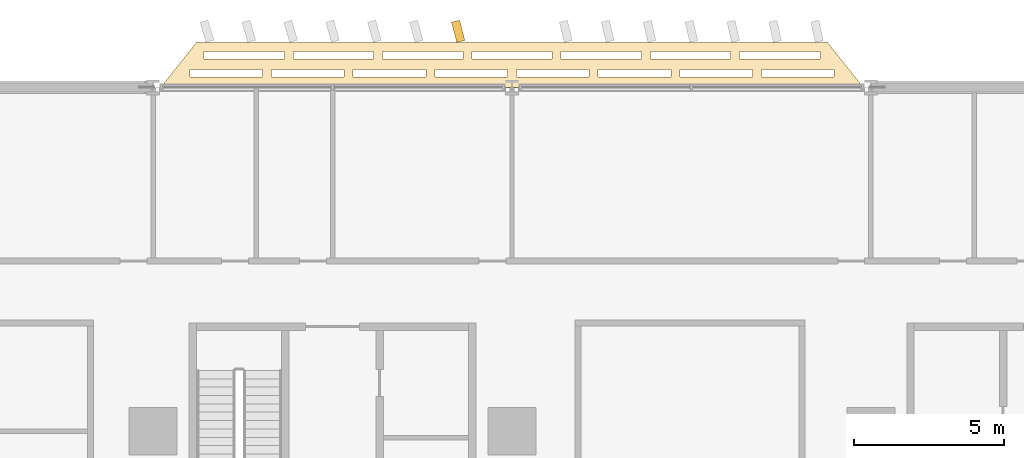
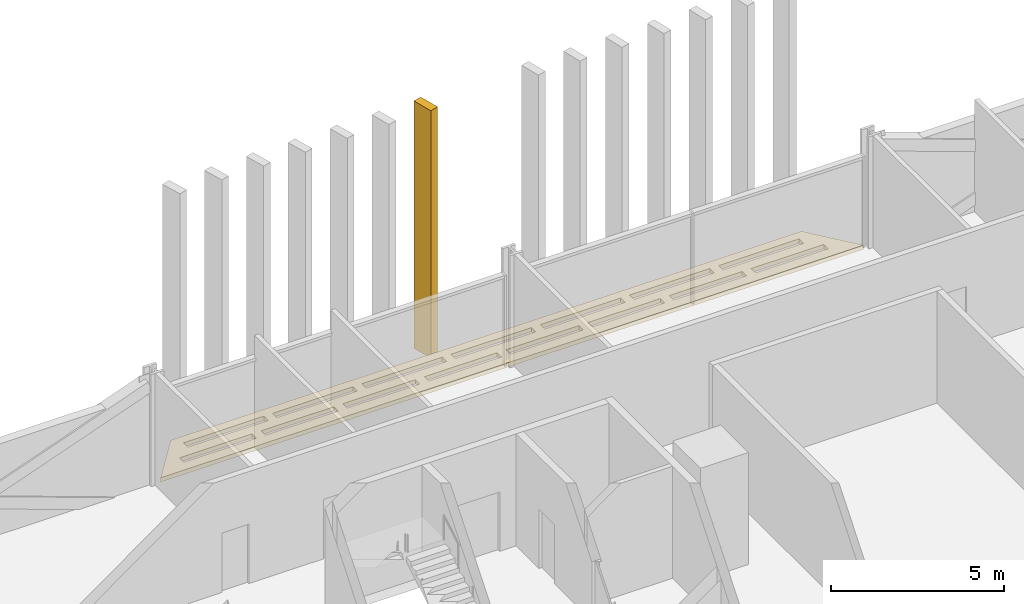
# One storey, part 26 of 31: 2 coverings.
"""IFC4 building model written with IfcOpenShell, lengths in metres."""

from ifc_helpers import new_model, si_unit, direction, frame, origin, origin_2d, place, context, subcontext, project, spatial, polyline, rectangle, outline, extrude, material, layer, layer_set, type_object, element, save


model = new_model("IFC4")

# Units and contexts
model_context = context("Model", 3, precision=1e-05, world=origin(), true_north=direction((0.0, 1.0)))
body_context = subcontext(model_context, "Body", "Model", "MODEL_VIEW")
ifc_project = project(units=[si_unit("LENGTHUNIT", "METRE"), si_unit("AREAUNIT", "SQUARE_METRE"), si_unit("VOLUMEUNIT", "CUBIC_METRE"), si_unit("PLANEANGLEUNIT", "RADIAN"), si_unit("MASSUNIT", "GRAM", prefix="KILO")], contexts=[model_context])

# Site, building, storey
site_placement = place(None, origin())
site = spatial("IfcSite", under=ifc_project, at=site_placement, CompositionType="ELEMENT")
building_placement = place(site_placement, origin())
building = spatial("IfcBuilding", under=site, at=building_placement, Name="Mahtab Terrace Research Tower", CompositionType="ELEMENT")
storey_placement = place(building_placement, frame((0.0, 0.0, 11.5)))
storey = spatial("IfcBuildingStorey", under=building, at=storey_placement, Name="L02", CompositionType="ELEMENT", Elevation=11.5)

# Coverings
ifc_material_1 = material(Name="Black anodised aluminium", Category="aluminium")
ifc_layer_1 = layer(ifc_material_1, 0.14990234375)
ifc_layer_set_1 = layer_set([ifc_layer_1], Name="Horizontal sunshade band")
covering_type_1 = type_object("IfcCoveringType", Name="Horizontal sunshade band", PredefinedType="CLADDING", material=ifc_layer_set_1)
covering_1_placement = place(storey_placement, frame((0.0, 0.0, -0.14990234375)))
element("IfcCovering", 1, at=covering_1_placement, inside=storey, type_object=covering_type_1, Name="Sunshade band L02 7", PredefinedType="CLADDING", context=body_context, shape_type="SweptSolid", body=[
    extrude(outline(polyline([(-6.2490234375, 23.0), (-29.7509765625, 23.0), (-28.551025390625, 24.5), (-7.448974609375, 24.5), (-6.2490234375, 23.0)]), holes=[polyline([(-7.22900390625, 23.35009765625), (-9.658935546875, 23.35009765625), (-9.658935546875, 23.60009765625), (-7.22900390625, 23.60009765625), (-7.22900390625, 23.35009765625)]), polyline([(-9.958984375, 23.35009765625), (-12.388916015625, 23.35009765625), (-12.388916015625, 23.60009765625), (-9.958984375, 23.60009765625), (-9.958984375, 23.35009765625)]), polyline([(-12.68896484375, 23.35009765625), (-15.1201171875, 23.35009765625), (-15.1201171875, 23.60009765625), (-12.68896484375, 23.60009765625), (-12.68896484375, 23.35009765625)]), polyline([(-15.419921875, 23.35009765625), (-17.85009765625, 23.35009765625), (-17.85009765625, 23.60009765625), (-15.419921875, 23.60009765625), (-15.419921875, 23.35009765625)]), polyline([(-18.14990234375, 23.35009765625), (-20.580078125, 23.35009765625), (-20.580078125, 23.60009765625), (-18.14990234375, 23.60009765625), (-18.14990234375, 23.35009765625)]), polyline([(-20.8798828125, 23.35009765625), (-23.31005859375, 23.35009765625), (-23.31005859375, 23.60009765625), (-20.8798828125, 23.60009765625), (-20.8798828125, 23.35009765625)]), polyline([(-23.611083984375, 23.35009765625), (-26.041015625, 23.35009765625), (-26.041015625, 23.60009765625), (-23.611083984375, 23.60009765625), (-23.611083984375, 23.35009765625)]), polyline([(-26.341064453125, 23.35009765625), (-28.77099609375, 23.35009765625), (-28.77099609375, 23.60009765625), (-26.341064453125, 23.60009765625), (-26.341064453125, 23.35009765625)]), polyline([(-7.708984375, 23.949951171875), (-10.39208984375, 23.949951171875), (-10.39208984375, 24.199951171875), (-7.708984375, 24.199951171875), (-7.708984375, 23.949951171875)]), polyline([(-10.69189453125, 23.949951171875), (-13.375, 23.949951171875), (-13.375, 24.199951171875), (-10.69189453125, 24.199951171875), (-10.69189453125, 23.949951171875)]), polyline([(-13.675048828125, 23.949951171875), (-16.35791015625, 23.949951171875), (-16.35791015625, 24.199951171875), (-13.675048828125, 24.199951171875), (-13.675048828125, 23.949951171875)]), polyline([(-16.657958984375, 23.949951171875), (-19.342041015625, 23.949951171875), (-19.342041015625, 24.199951171875), (-16.657958984375, 24.199951171875), (-16.657958984375, 23.949951171875)]), polyline([(-19.64208984375, 23.949951171875), (-22.324951171875, 23.949951171875), (-22.324951171875, 24.199951171875), (-19.64208984375, 24.199951171875), (-19.64208984375, 23.949951171875)]), polyline([(-22.625, 23.949951171875), (-25.30810546875, 23.949951171875), (-25.30810546875, 24.199951171875), (-22.625, 24.199951171875), (-22.625, 23.949951171875)]), polyline([(-25.60791015625, 23.949951171875), (-28.291015625, 23.949951171875), (-28.291015625, 24.199951171875), (-25.60791015625, 24.199951171875), (-25.60791015625, 23.949951171875)])]), origin(), (0.0, 0.0, 1.0), 0.14990234375),
])
ifc_material_2 = material(Name="Bronze anodised aluminium", Category="aluminium")
ifc_layer_2 = layer(ifc_material_2, 0.1201171875)
ifc_layer_set_2 = layer_set([ifc_layer_2], Name="Vertical fin 700")
covering_type_2 = type_object("IfcCoveringType", Name="Vertical fin 700", PredefinedType="CLADDING", material=ifc_layer_set_2)
covering_2_placement = place(storey_placement, frame((-19.800048828125, 24.8740234375, -0.14990234375), z_axis=(0.0, 0.0, 1.0), x_axis=(-0.967204452546, -0.253999108219, 0.0)))
element("IfcCovering", 2, at=covering_2_placement, inside=storey, type_object=covering_type_2, Name="Fin L02 N1", PredefinedType="CLADDING", context=body_context, shape_type="SweptSolid", body=[
    extrude(rectangle(XDim=0.280029296875, YDim=0.699951171875, at=origin_2d()), origin(), (0.0, 0.0, 1.0), 8.75),
])

save(model, "model.ifc")
